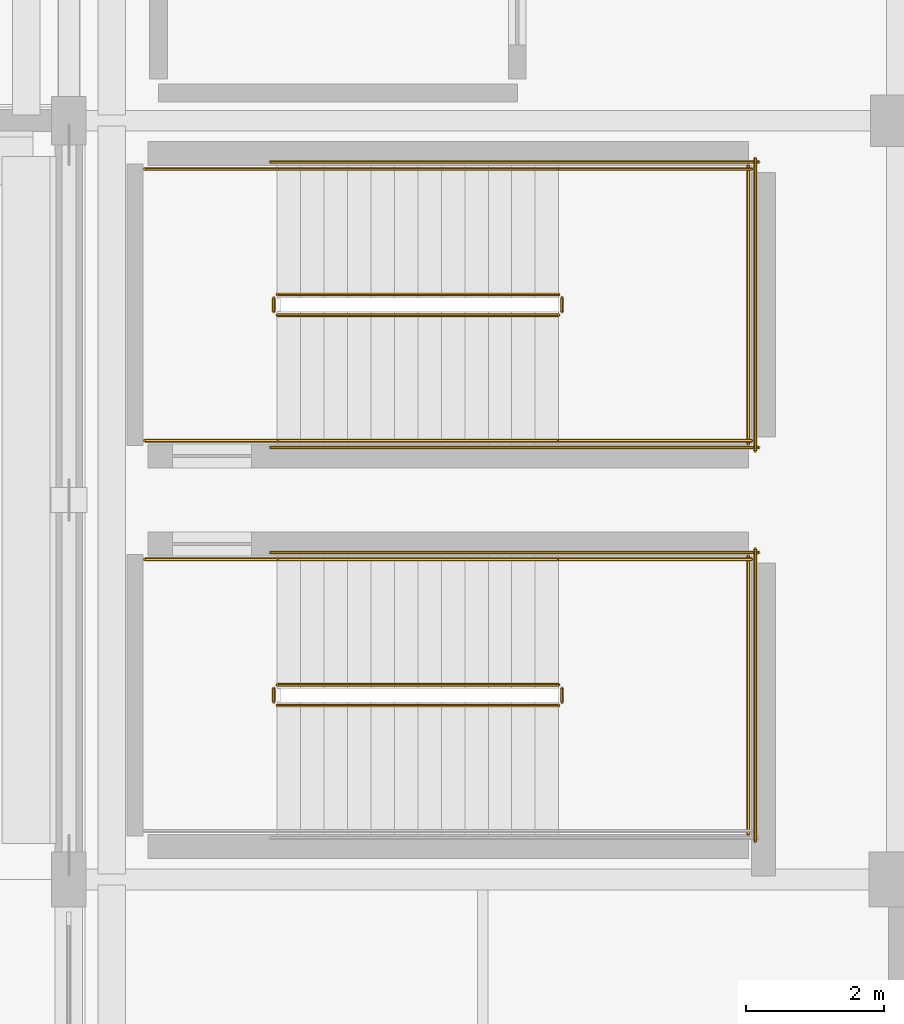
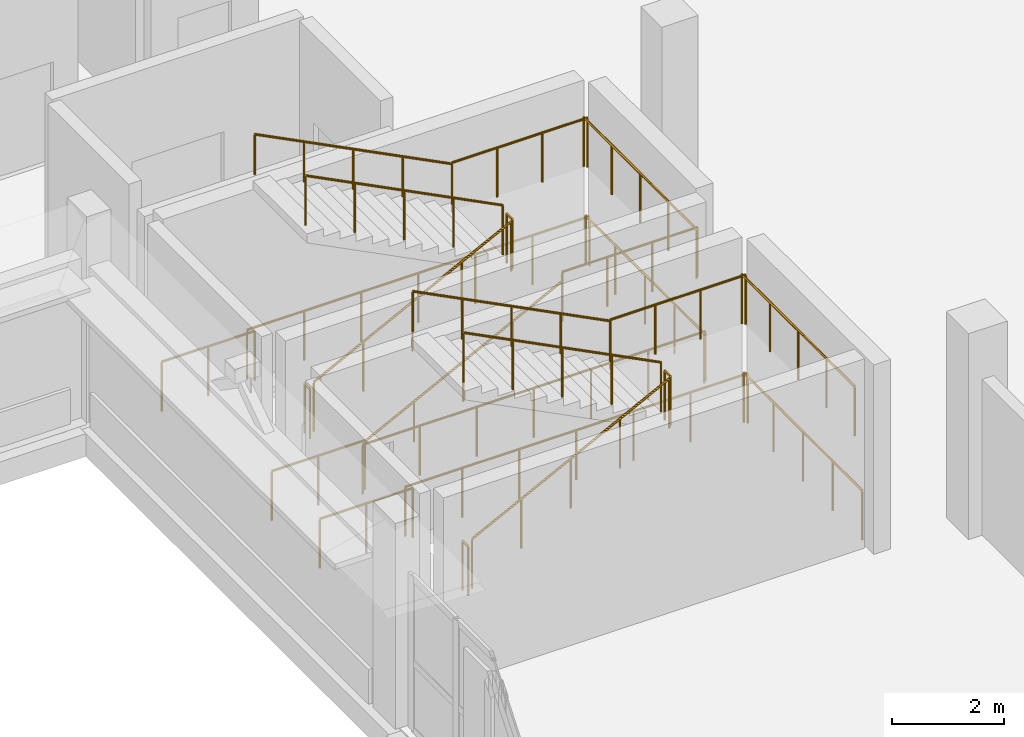
# One storey, part 105 of 118: 24 railings.
"""IFC4 building model written with IfcOpenShell, lengths in metres."""

from ifc_helpers import new_model, si_unit, direction, frame, origin, origin_2d, place, context, subcontext, project, spatial, circle, extrude, material, type_object, element, save


model = new_model("IFC4")

# Units and contexts
model_context = context("Model", 3, precision=1e-05, world=origin(), true_north=direction((0.0, 1.0)))
body_context = subcontext(model_context, "Body", "Model", "MODEL_VIEW")
ifc_project = project(units=[si_unit("LENGTHUNIT", "METRE"), si_unit("AREAUNIT", "SQUARE_METRE"), si_unit("VOLUMEUNIT", "CUBIC_METRE"), si_unit("PLANEANGLEUNIT", "RADIAN"), si_unit("MASSUNIT", "GRAM", prefix="KILO")], contexts=[model_context])

# Site, building, storey
site_placement = place(None, origin())
site = spatial("IfcSite", under=ifc_project, at=site_placement, CompositionType="ELEMENT")
building_placement = place(site_placement, origin())
building = spatial("IfcBuilding", under=site, at=building_placement, Name="Luwafu Chhajja Arena", CompositionType="ELEMENT")
storey_placement = place(building_placement, frame((0.0, 0.0, 10.199951171875)))
storey = spatial("IfcBuildingStorey", under=building, at=storey_placement, Name="L02", CompositionType="ELEMENT", Elevation=10.199951171875)

# Railings
ifc_material_1 = material(Name="Stainless steel handrail", Category="steel")
railing_type_1 = type_object("IfcRailingType", Name="Stair Pitch Wall Handrail 920", PredefinedType="HANDRAIL", material=ifc_material_1)
railing_1_placement = place(storey_placement, frame((41.10009765625, 81.639892578125, 2.423095703125)))
element("IfcRailing", 1, at=railing_1_placement, inside=storey, type_object=railing_type_1, Name="L02 ST-05 stair handrail 2", PredefinedType="HANDRAIL", context=body_context, shape_type="SweptSolid", body=[
    extrude(circle(Radius=0.02392578125, at=origin_2d()), frame((0.0, 0.0, 0.8759765625), z_axis=(-0.891183106714, 0.0, 0.453643770274), x_axis=(0.0, -1.0, 0.0)), (0.0, 0.0, 1.0), 4.578369140625),
    extrude(circle(Radius=0.02099609375, at=origin_2d()), origin(), (0.0, 0.0, 1.0), 0.851806640625),
    extrude(circle(Radius=0.02099609375, at=origin_2d()), frame((-1.02001953125, 0.0, 0.519287109375)), (0.0, 0.0, 1.0), 0.851806640625),
    extrude(circle(Radius=0.02099609375, at=origin_2d()), frame((-2.0400390625, 0.0, 1.03857421875)), (0.0, 0.0, 1.0), 0.851806640625),
    extrude(circle(Radius=0.02099609375, at=origin_2d()), frame((-3.06005859375, 0.0, 1.5576171875)), (0.0, 0.0, 1.0), 0.851806640625),
    extrude(circle(Radius=0.02099609375, at=origin_2d()), frame((-4.080078125, 0.0, 2.076904296875)), (0.0, 0.0, 1.0), 0.851806640625),
])
railing_2_placement = place(storey_placement, frame((37.02001953125, 83.360107421875, 0.173095703125)))
element("IfcRailing", 2, at=railing_2_placement, inside=storey, type_object=railing_type_1, Name="L02 ST-06 stair handrail 1", PredefinedType="HANDRAIL", context=body_context, shape_type="SweptSolid", body=[
    extrude(circle(Radius=0.02392578125, at=origin_2d()), frame((0.0, 0.0, 0.8759765625), z_axis=(0.891183106714, 0.0, 0.453643770274), x_axis=(0.0, 1.0, 0.0)), (0.0, 0.0, 1.0), 4.578369140625),
    extrude(circle(Radius=0.02099609375, at=origin_2d()), origin(), (0.0, 0.0, 1.0), 0.851806640625),
    extrude(circle(Radius=0.02099609375, at=origin_2d()), frame((1.02001953125, 0.0, 0.519287109375)), (0.0, 0.0, 1.0), 0.851806640625),
    extrude(circle(Radius=0.02099609375, at=origin_2d()), frame((2.0400390625, 0.0, 1.03857421875)), (0.0, 0.0, 1.0), 0.851806640625),
    extrude(circle(Radius=0.02099609375, at=origin_2d()), frame((3.06005859375, 0.0, 1.5576171875)), (0.0, 0.0, 1.0), 0.851806640625),
    extrude(circle(Radius=0.02099609375, at=origin_2d()), frame((4.080078125, 0.0, 2.076904296875)), (0.0, 0.0, 1.0), 0.851806640625),
])
railing_3_placement = place(storey_placement, frame((41.10009765625, 87.300048828125, 2.423095703125)))
element("IfcRailing", 3, at=railing_3_placement, inside=storey, type_object=railing_type_1, Name="L02 ST-06 stair handrail 2", PredefinedType="HANDRAIL", context=body_context, shape_type="SweptSolid", body=[
    extrude(circle(Radius=0.02392578125, at=origin_2d()), frame((0.0, 0.0, 0.8759765625), z_axis=(-0.891183106714, 0.0, 0.453643770274), x_axis=(0.0, -1.0, 0.0)), (0.0, 0.0, 1.0), 4.578369140625),
    extrude(circle(Radius=0.02099609375, at=origin_2d()), origin(), (0.0, 0.0, 1.0), 0.851806640625),
    extrude(circle(Radius=0.02099609375, at=origin_2d()), frame((-1.02001953125, 0.0, 0.519287109375)), (0.0, 0.0, 1.0), 0.851806640625),
    extrude(circle(Radius=0.02099609375, at=origin_2d()), frame((-2.0400390625, 0.0, 1.03857421875)), (0.0, 0.0, 1.0), 0.851806640625),
    extrude(circle(Radius=0.02099609375, at=origin_2d()), frame((-3.06005859375, 0.0, 1.5576171875)), (0.0, 0.0, 1.0), 0.851806640625),
    extrude(circle(Radius=0.02099609375, at=origin_2d()), frame((-4.080078125, 0.0, 2.076904296875)), (0.0, 0.0, 1.0), 0.851806640625),
])
ifc_material_2 = material(Name="Stainless steel balustrade", Category="steel")
railing_type_2 = type_object("IfcRailingType", Name="Stair and Terrace Guard Balustrade 1100", PredefinedType="BALUSTRADE", material=ifc_material_2)
railing_4_placement = place(storey_placement, frame((37.02001953125, 79.52001953125, 0.173095703125)))
element("IfcRailing", 4, at=railing_4_placement, inside=storey, type_object=railing_type_2, Name="L02 ST-05 stair guard 1", PredefinedType="BALUSTRADE", context=body_context, shape_type="SweptSolid", body=[
    extrude(circle(Radius=0.02392578125, at=origin_2d()), frame((0.0, 0.0, 1.076171875), z_axis=(0.891183106714, 0.0, 0.453643770274), x_axis=(0.0, 1.0, 0.0)), (0.0, 0.0, 1.0), 4.578369140625),
    extrude(circle(Radius=0.02099609375, at=origin_2d()), origin(), (0.0, 0.0, 1.0), 1.052001953125),
    extrude(circle(Radius=0.02099609375, at=origin_2d()), frame((1.02001953125, 0.0, 0.519287109375)), (0.0, 0.0, 1.0), 1.052001953125),
    extrude(circle(Radius=0.02099609375, at=origin_2d()), frame((2.0400390625, 0.0, 1.03857421875)), (0.0, 0.0, 1.0), 1.052001953125),
    extrude(circle(Radius=0.02099609375, at=origin_2d()), frame((3.06005859375, 0.0, 1.5576171875)), (0.0, 0.0, 1.0), 1.052001953125),
    extrude(circle(Radius=0.02099609375, at=origin_2d()), frame((4.080078125, 0.0, 2.076904296875)), (0.0, 0.0, 1.0), 1.052001953125),
])
railing_5_placement = place(storey_placement, frame((41.14990234375, 79.570068359375, 2.25)))
element("IfcRailing", 5, at=railing_5_placement, inside=storey, type_object=railing_type_2, Name="L02 ST-05 stair guard 2", PredefinedType="BALUSTRADE", context=body_context, shape_type="SweptSolid", body=[
    extrude(circle(Radius=0.02392578125, at=origin_2d()), frame((0.0, 0.0, 1.076171875), z_axis=(0.0, 1.0, 0.0), x_axis=(-1.0, 0.0, 0.0)), (0.0, 0.0, 1.0), 0.199951171875),
    extrude(circle(Radius=0.02099609375, at=origin_2d()), origin(), (0.0, 0.0, 1.0), 1.052001953125),
    extrude(circle(Radius=0.02099609375, at=origin_2d()), frame((0.0, 0.199951171875, 0.0)), (0.0, 0.0, 1.0), 1.052001953125),
])
railing_6_placement = place(storey_placement, frame((41.10009765625, 81.639892578125, 2.25)))
element("IfcRailing", 6, at=railing_6_placement, inside=storey, type_object=railing_type_2, Name="L02 ST-05 stair guard 4", PredefinedType="BALUSTRADE", context=body_context, shape_type="SweptSolid", body=[
    extrude(circle(Radius=0.02392578125, at=origin_2d()), frame((0.0, 0.0, 1.076171875), z_axis=(1.0, 0.0, 0.0), x_axis=(0.0, 1.0, 0.0)), (0.0, 0.0, 1.0), 2.7998046875),
    extrude(circle(Radius=0.02099609375, at=origin_2d()), origin(), (0.0, 0.0, 1.0), 1.052001953125),
    extrude(circle(Radius=0.02099609375, at=origin_2d()), frame((0.933349609375, 0.0, 0.0)), (0.0, 0.0, 1.0), 1.052001953125),
    extrude(circle(Radius=0.02099609375, at=origin_2d()), frame((1.866455078125, 0.0, 0.0)), (0.0, 0.0, 1.0), 1.052001953125),
    extrude(circle(Radius=0.02099609375, at=origin_2d()), frame((2.7998046875, 0.0, 0.0)), (0.0, 0.0, 1.0), 1.052001953125),
])
railing_7_placement = place(storey_placement, frame((43.85009765625, 77.64990234375, 2.25)))
element("IfcRailing", 7, at=railing_7_placement, inside=storey, type_object=railing_type_2, Name="L02 ST-05 stair guard 5", PredefinedType="BALUSTRADE", context=body_context, shape_type="SweptSolid", body=[
    extrude(circle(Radius=0.02392578125, at=origin_2d()), frame((0.0, 0.0, 1.076171875), z_axis=(0.0, 1.0, 0.0), x_axis=(-1.0, 0.0, 0.0)), (0.0, 0.0, 1.0), 4.0400390625),
    extrude(circle(Radius=0.02099609375, at=origin_2d()), origin(), (0.0, 0.0, 1.0), 1.052001953125),
    extrude(circle(Radius=0.02099609375, at=origin_2d()), frame((0.0, 1.010009765625, 0.0)), (0.0, 0.0, 1.0), 1.052001953125),
    extrude(circle(Radius=0.02099609375, at=origin_2d()), frame((0.0, 2.02001953125, 0.0)), (0.0, 0.0, 1.0), 1.052001953125),
    extrude(circle(Radius=0.02099609375, at=origin_2d()), frame((0.0, 3.030029296875, 0.0)), (0.0, 0.0, 1.0), 1.052001953125),
    extrude(circle(Radius=0.02099609375, at=origin_2d()), frame((0.0, 4.0400390625, 0.0)), (0.0, 0.0, 1.0), 1.052001953125),
])
railing_8_placement = place(storey_placement, frame((41.10009765625, 79.820068359375, 2.423095703125)))
element("IfcRailing", 8, at=railing_8_placement, inside=storey, type_object=railing_type_2, Name="L02 ST-05 stair guard 6", PredefinedType="BALUSTRADE", context=body_context, shape_type="SweptSolid", body=[
    extrude(circle(Radius=0.02392578125, at=origin_2d()), frame((0.0, 0.0, 1.076171875), z_axis=(-0.891183106714, 0.0, 0.453643770274), x_axis=(0.0, -1.0, 0.0)), (0.0, 0.0, 1.0), 4.578369140625),
    extrude(circle(Radius=0.02099609375, at=origin_2d()), origin(), (0.0, 0.0, 1.0), 1.052001953125),
    extrude(circle(Radius=0.02099609375, at=origin_2d()), frame((-1.02001953125, 0.0, 0.519287109375)), (0.0, 0.0, 1.0), 1.052001953125),
    extrude(circle(Radius=0.02099609375, at=origin_2d()), frame((-2.0400390625, 0.0, 1.03857421875)), (0.0, 0.0, 1.0), 1.052001953125),
    extrude(circle(Radius=0.02099609375, at=origin_2d()), frame((-3.06005859375, 0.0, 1.5576171875)), (0.0, 0.0, 1.0), 1.052001953125),
    extrude(circle(Radius=0.02099609375, at=origin_2d()), frame((-4.080078125, 0.0, 2.076904296875)), (0.0, 0.0, 1.0), 1.052001953125),
])
railing_9_placement = place(storey_placement, frame((36.969970703125, 79.570068359375, 0.0)))
element("IfcRailing", 9, at=railing_9_placement, inside=storey, type_object=railing_type_2, Name="L02 ST-05 stair guard 7", PredefinedType="BALUSTRADE", context=body_context, shape_type="SweptSolid", body=[
    extrude(circle(Radius=0.02392578125, at=origin_2d()), frame((0.0, 0.0, 1.076171875), z_axis=(0.0, 1.0, 0.0), x_axis=(-1.0, 0.0, 0.0)), (0.0, 0.0, 1.0), 0.199951171875),
    extrude(circle(Radius=0.02099609375, at=origin_2d()), origin(), (0.0, 0.0, 1.0), 1.052001953125),
    extrude(circle(Radius=0.02099609375, at=origin_2d()), frame((0.0, 0.199951171875, 0.0)), (0.0, 0.0, 1.0), 1.052001953125),
])
railing_10_placement = place(storey_placement, frame((35.10009765625, 81.639892578125, 0.0)))
element("IfcRailing", 10, at=railing_10_placement, inside=storey, type_object=railing_type_2, Name="L02 ST-05 stair guard 9", PredefinedType="BALUSTRADE", context=body_context, shape_type="SweptSolid", body=[
    extrude(circle(Radius=0.02392578125, at=origin_2d()), frame((0.0, 0.0, 1.076171875), z_axis=(1.0, 0.0, 0.0), x_axis=(0.0, 1.0, 0.0)), (0.0, 0.0, 1.0), 1.919921875),
    extrude(circle(Radius=0.02099609375, at=origin_2d()), origin(), (0.0, 0.0, 1.0), 1.052001953125),
    extrude(circle(Radius=0.02099609375, at=origin_2d()), frame((0.9599609375, 0.0, 0.0)), (0.0, 0.0, 1.0), 1.052001953125),
    extrude(circle(Radius=0.02099609375, at=origin_2d()), frame((1.919921875, 0.0, 0.0)), (0.0, 0.0, 1.0), 1.052001953125),
])
railing_11_placement = place(storey_placement, frame((36.919921875, 81.739990234375, 0.0)))
element("IfcRailing", 11, at=railing_11_placement, inside=storey, type_object=railing_type_2, Name="L02 ST-05 stair guard 11", PredefinedType="BALUSTRADE", context=body_context, shape_type="SweptSolid", body=[
    extrude(circle(Radius=0.02392578125, at=origin_2d()), frame((0.0, 0.0, 1.076171875), z_axis=(1.0, 0.0, 0.0), x_axis=(0.0, 1.0, 0.0)), (0.0, 0.0, 1.0), 7.080078125),
    extrude(circle(Radius=0.02099609375, at=origin_2d()), origin(), (0.0, 0.0, 1.0), 1.052001953125),
    extrude(circle(Radius=0.02099609375, at=origin_2d()), frame((1.179931640625, 0.0, 0.0)), (0.0, 0.0, 1.0), 1.052001953125),
    extrude(circle(Radius=0.02099609375, at=origin_2d()), frame((2.360107421875, 0.0, 0.0)), (0.0, 0.0, 1.0), 1.052001953125),
    extrude(circle(Radius=0.02099609375, at=origin_2d()), frame((3.5400390625, 0.0, 0.0)), (0.0, 0.0, 1.0), 1.052001953125),
    extrude(circle(Radius=0.02099609375, at=origin_2d()), frame((4.719970703125, 0.0, 0.0)), (0.0, 0.0, 1.0), 1.052001953125),
    extrude(circle(Radius=0.02099609375, at=origin_2d()), frame((5.900146484375, 0.0, 0.0)), (0.0, 0.0, 1.0), 1.052001953125),
    extrude(circle(Radius=0.02099609375, at=origin_2d()), frame((7.080078125, 0.0, 0.0)), (0.0, 0.0, 1.0), 1.052001953125),
])
railing_12_placement = place(storey_placement, frame((43.949951171875, 77.550048828125, 0.0)))
element("IfcRailing", 12, at=railing_12_placement, inside=storey, type_object=railing_type_2, Name="L02 ST-05 stair guard 12", PredefinedType="BALUSTRADE", context=body_context, shape_type="SweptSolid", body=[
    extrude(circle(Radius=0.02392578125, at=origin_2d()), frame((0.0, 0.0, 1.076171875), z_axis=(0.0, 1.0, 0.0), x_axis=(-1.0, 0.0, 0.0)), (0.0, 0.0, 1.0), 4.239990234375),
    extrude(circle(Radius=0.02099609375, at=origin_2d()), origin(), (0.0, 0.0, 1.0), 1.052001953125),
    extrude(circle(Radius=0.02099609375, at=origin_2d()), frame((0.0, 1.06005859375, 0.0)), (0.0, 0.0, 1.0), 1.052001953125),
    extrude(circle(Radius=0.02099609375, at=origin_2d()), frame((0.0, 2.1201171875, 0.0)), (0.0, 0.0, 1.0), 1.052001953125),
    extrude(circle(Radius=0.02099609375, at=origin_2d()), frame((0.0, 3.179931640625, 0.0)), (0.0, 0.0, 1.0), 1.052001953125),
    extrude(circle(Radius=0.02099609375, at=origin_2d()), frame((0.0, 4.239990234375, 0.0)), (0.0, 0.0, 1.0), 1.052001953125),
])
railing_13_placement = place(storey_placement, frame((37.02001953125, 85.179931640625, 0.173095703125)))
element("IfcRailing", 13, at=railing_13_placement, inside=storey, type_object=railing_type_2, Name="L02 ST-06 stair guard 1", PredefinedType="BALUSTRADE", context=body_context, shape_type="SweptSolid", body=[
    extrude(circle(Radius=0.02392578125, at=origin_2d()), frame((0.0, 0.0, 1.076171875), z_axis=(0.891183106714, 0.0, 0.453643770274), x_axis=(0.0, 1.0, 0.0)), (0.0, 0.0, 1.0), 4.578369140625),
    extrude(circle(Radius=0.02099609375, at=origin_2d()), origin(), (0.0, 0.0, 1.0), 1.052001953125),
    extrude(circle(Radius=0.02099609375, at=origin_2d()), frame((1.02001953125, 0.0, 0.519287109375)), (0.0, 0.0, 1.0), 1.052001953125),
    extrude(circle(Radius=0.02099609375, at=origin_2d()), frame((2.0400390625, 0.0, 1.03857421875)), (0.0, 0.0, 1.0), 1.052001953125),
    extrude(circle(Radius=0.02099609375, at=origin_2d()), frame((3.06005859375, 0.0, 1.5576171875)), (0.0, 0.0, 1.0), 1.052001953125),
    extrude(circle(Radius=0.02099609375, at=origin_2d()), frame((4.080078125, 0.0, 2.076904296875)), (0.0, 0.0, 1.0), 1.052001953125),
])
railing_14_placement = place(storey_placement, frame((41.14990234375, 85.22998046875, 2.25)))
element("IfcRailing", 14, at=railing_14_placement, inside=storey, type_object=railing_type_2, Name="L02 ST-06 stair guard 2", PredefinedType="BALUSTRADE", context=body_context, shape_type="SweptSolid", body=[
    extrude(circle(Radius=0.02392578125, at=origin_2d()), frame((0.0, 0.0, 1.076171875), z_axis=(0.0, 1.0, 0.0), x_axis=(-1.0, 0.0, 0.0)), (0.0, 0.0, 1.0), 0.199951171875),
    extrude(circle(Radius=0.02099609375, at=origin_2d()), origin(), (0.0, 0.0, 1.0), 1.052001953125),
    extrude(circle(Radius=0.02099609375, at=origin_2d()), frame((0.0, 0.199951171875, 0.0)), (0.0, 0.0, 1.0), 1.052001953125),
])
for number, where, name in (
    (15, (41.10009765625, 83.360107421875, 2.25), "L02 ST-06 stair guard 3"),
    (16, (41.10009765625, 87.300048828125, 2.25), "L02 ST-06 stair guard 4"),
):
    element("IfcRailing", number, at=place(storey_placement, frame(where)), inside=storey, type_object=railing_type_2, Name=name, PredefinedType="BALUSTRADE", context=body_context, shape_type="SweptSolid", body=[
        extrude(circle(Radius=0.02392578125, at=origin_2d()), frame((0.0, 0.0, 1.076171875), z_axis=(1.0, 0.0, 0.0), x_axis=(0.0, 1.0, 0.0)), (0.0, 0.0, 1.0), 2.7998046875),
        extrude(circle(Radius=0.02099609375, at=origin_2d()), origin(), (0.0, 0.0, 1.0), 1.052001953125),
        extrude(circle(Radius=0.02099609375, at=origin_2d()), frame((0.933349609375, 0.0, 0.0)), (0.0, 0.0, 1.0), 1.052001953125),
        extrude(circle(Radius=0.02099609375, at=origin_2d()), frame((1.866455078125, 0.0, 0.0)), (0.0, 0.0, 1.0), 1.052001953125),
        extrude(circle(Radius=0.02099609375, at=origin_2d()), frame((2.7998046875, 0.0, 0.0)), (0.0, 0.0, 1.0), 1.052001953125),
    ])
railing_15_placement = place(storey_placement, frame((43.85009765625, 83.31005859375, 2.25)))
element("IfcRailing", 17, at=railing_15_placement, inside=storey, type_object=railing_type_2, Name="L02 ST-06 stair guard 5", PredefinedType="BALUSTRADE", context=body_context, shape_type="SweptSolid", body=[
    extrude(circle(Radius=0.02392578125, at=origin_2d()), frame((0.0, 0.0, 1.076171875), z_axis=(0.0, 1.0, 0.0), x_axis=(-1.0, 0.0, 0.0)), (0.0, 0.0, 1.0), 4.0400390625),
    extrude(circle(Radius=0.02099609375, at=origin_2d()), origin(), (0.0, 0.0, 1.0), 1.052001953125),
    extrude(circle(Radius=0.02099609375, at=origin_2d()), frame((0.0, 1.010009765625, 0.0)), (0.0, 0.0, 1.0), 1.052001953125),
    extrude(circle(Radius=0.02099609375, at=origin_2d()), frame((0.0, 2.02001953125, 0.0)), (0.0, 0.0, 1.0), 1.052001953125),
    extrude(circle(Radius=0.02099609375, at=origin_2d()), frame((0.0, 3.030029296875, 0.0)), (0.0, 0.0, 1.0), 1.052001953125),
    extrude(circle(Radius=0.02099609375, at=origin_2d()), frame((0.0, 4.0400390625, 0.0)), (0.0, 0.0, 1.0), 1.052001953125),
])
railing_16_placement = place(storey_placement, frame((41.10009765625, 85.47998046875, 2.423095703125)))
element("IfcRailing", 18, at=railing_16_placement, inside=storey, type_object=railing_type_2, Name="L02 ST-06 stair guard 6", PredefinedType="BALUSTRADE", context=body_context, shape_type="SweptSolid", body=[
    extrude(circle(Radius=0.02392578125, at=origin_2d()), frame((0.0, 0.0, 1.076171875), z_axis=(-0.891183106714, 0.0, 0.453643770274), x_axis=(0.0, -1.0, 0.0)), (0.0, 0.0, 1.0), 4.578369140625),
    extrude(circle(Radius=0.02099609375, at=origin_2d()), origin(), (0.0, 0.0, 1.0), 1.052001953125),
    extrude(circle(Radius=0.02099609375, at=origin_2d()), frame((-1.02001953125, 0.0, 0.519287109375)), (0.0, 0.0, 1.0), 1.052001953125),
    extrude(circle(Radius=0.02099609375, at=origin_2d()), frame((-2.0400390625, 0.0, 1.03857421875)), (0.0, 0.0, 1.0), 1.052001953125),
    extrude(circle(Radius=0.02099609375, at=origin_2d()), frame((-3.06005859375, 0.0, 1.5576171875)), (0.0, 0.0, 1.0), 1.052001953125),
    extrude(circle(Radius=0.02099609375, at=origin_2d()), frame((-4.080078125, 0.0, 2.076904296875)), (0.0, 0.0, 1.0), 1.052001953125),
])
railing_17_placement = place(storey_placement, frame((36.969970703125, 85.22998046875, 0.0)))
element("IfcRailing", 19, at=railing_17_placement, inside=storey, type_object=railing_type_2, Name="L02 ST-06 stair guard 7", PredefinedType="BALUSTRADE", context=body_context, shape_type="SweptSolid", body=[
    extrude(circle(Radius=0.02392578125, at=origin_2d()), frame((0.0, 0.0, 1.076171875), z_axis=(0.0, 1.0, 0.0), x_axis=(-1.0, 0.0, 0.0)), (0.0, 0.0, 1.0), 0.199951171875),
    extrude(circle(Radius=0.02099609375, at=origin_2d()), origin(), (0.0, 0.0, 1.0), 1.052001953125),
    extrude(circle(Radius=0.02099609375, at=origin_2d()), frame((0.0, 0.199951171875, 0.0)), (0.0, 0.0, 1.0), 1.052001953125),
])
for number, where, name in (
    (20, (35.10009765625, 83.360107421875, 0.0), "L02 ST-06 stair guard 8"),
    (21, (35.10009765625, 87.300048828125, 0.0), "L02 ST-06 stair guard 9"),
):
    element("IfcRailing", number, at=place(storey_placement, frame(where)), inside=storey, type_object=railing_type_2, Name=name, PredefinedType="BALUSTRADE", context=body_context, shape_type="SweptSolid", body=[
        extrude(circle(Radius=0.02392578125, at=origin_2d()), frame((0.0, 0.0, 1.076171875), z_axis=(1.0, 0.0, 0.0), x_axis=(0.0, 1.0, 0.0)), (0.0, 0.0, 1.0), 1.919921875),
        extrude(circle(Radius=0.02099609375, at=origin_2d()), origin(), (0.0, 0.0, 1.0), 1.052001953125),
        extrude(circle(Radius=0.02099609375, at=origin_2d()), frame((0.9599609375, 0.0, 0.0)), (0.0, 0.0, 1.0), 1.052001953125),
        extrude(circle(Radius=0.02099609375, at=origin_2d()), frame((1.919921875, 0.0, 0.0)), (0.0, 0.0, 1.0), 1.052001953125),
    ])
for number, where, name in (
    (22, (36.919921875, 83.260009765625, 0.0), "L02 ST-06 stair guard 10"),
    (23, (36.919921875, 87.39990234375, 0.0), "L02 ST-06 stair guard 11"),
):
    element("IfcRailing", number, at=place(storey_placement, frame(where)), inside=storey, type_object=railing_type_2, Name=name, PredefinedType="BALUSTRADE", context=body_context, shape_type="SweptSolid", body=[
        extrude(circle(Radius=0.02392578125, at=origin_2d()), frame((0.0, 0.0, 1.076171875), z_axis=(1.0, 0.0, 0.0), x_axis=(0.0, 1.0, 0.0)), (0.0, 0.0, 1.0), 7.080078125),
        extrude(circle(Radius=0.02099609375, at=origin_2d()), origin(), (0.0, 0.0, 1.0), 1.052001953125),
        extrude(circle(Radius=0.02099609375, at=origin_2d()), frame((1.179931640625, 0.0, 0.0)), (0.0, 0.0, 1.0), 1.052001953125),
        extrude(circle(Radius=0.02099609375, at=origin_2d()), frame((2.360107421875, 0.0, 0.0)), (0.0, 0.0, 1.0), 1.052001953125),
        extrude(circle(Radius=0.02099609375, at=origin_2d()), frame((3.5400390625, 0.0, 0.0)), (0.0, 0.0, 1.0), 1.052001953125),
        extrude(circle(Radius=0.02099609375, at=origin_2d()), frame((4.719970703125, 0.0, 0.0)), (0.0, 0.0, 1.0), 1.052001953125),
        extrude(circle(Radius=0.02099609375, at=origin_2d()), frame((5.900146484375, 0.0, 0.0)), (0.0, 0.0, 1.0), 1.052001953125),
        extrude(circle(Radius=0.02099609375, at=origin_2d()), frame((7.080078125, 0.0, 0.0)), (0.0, 0.0, 1.0), 1.052001953125),
    ])
railing_18_placement = place(storey_placement, frame((43.949951171875, 83.2099609375, 0.0)))
element("IfcRailing", 24, at=railing_18_placement, inside=storey, type_object=railing_type_2, Name="L02 ST-06 stair guard 12", PredefinedType="BALUSTRADE", context=body_context, shape_type="SweptSolid", body=[
    extrude(circle(Radius=0.02392578125, at=origin_2d()), frame((0.0, 0.0, 1.076171875), z_axis=(0.0, 1.0, 0.0), x_axis=(-1.0, 0.0, 0.0)), (0.0, 0.0, 1.0), 4.239990234375),
    extrude(circle(Radius=0.02099609375, at=origin_2d()), origin(), (0.0, 0.0, 1.0), 1.052001953125),
    extrude(circle(Radius=0.02099609375, at=origin_2d()), frame((0.0, 1.06005859375, 0.0)), (0.0, 0.0, 1.0), 1.052001953125),
    extrude(circle(Radius=0.02099609375, at=origin_2d()), frame((0.0, 2.1201171875, 0.0)), (0.0, 0.0, 1.0), 1.052001953125),
    extrude(circle(Radius=0.02099609375, at=origin_2d()), frame((0.0, 3.179931640625, 0.0)), (0.0, 0.0, 1.0), 1.052001953125),
    extrude(circle(Radius=0.02099609375, at=origin_2d()), frame((0.0, 4.239990234375, 0.0)), (0.0, 0.0, 1.0), 1.052001953125),
])

save(model, "model.ifc")
